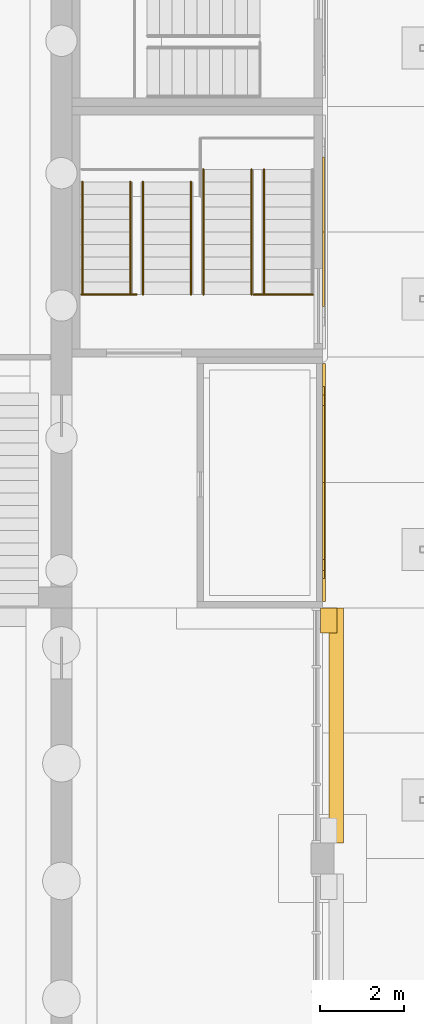
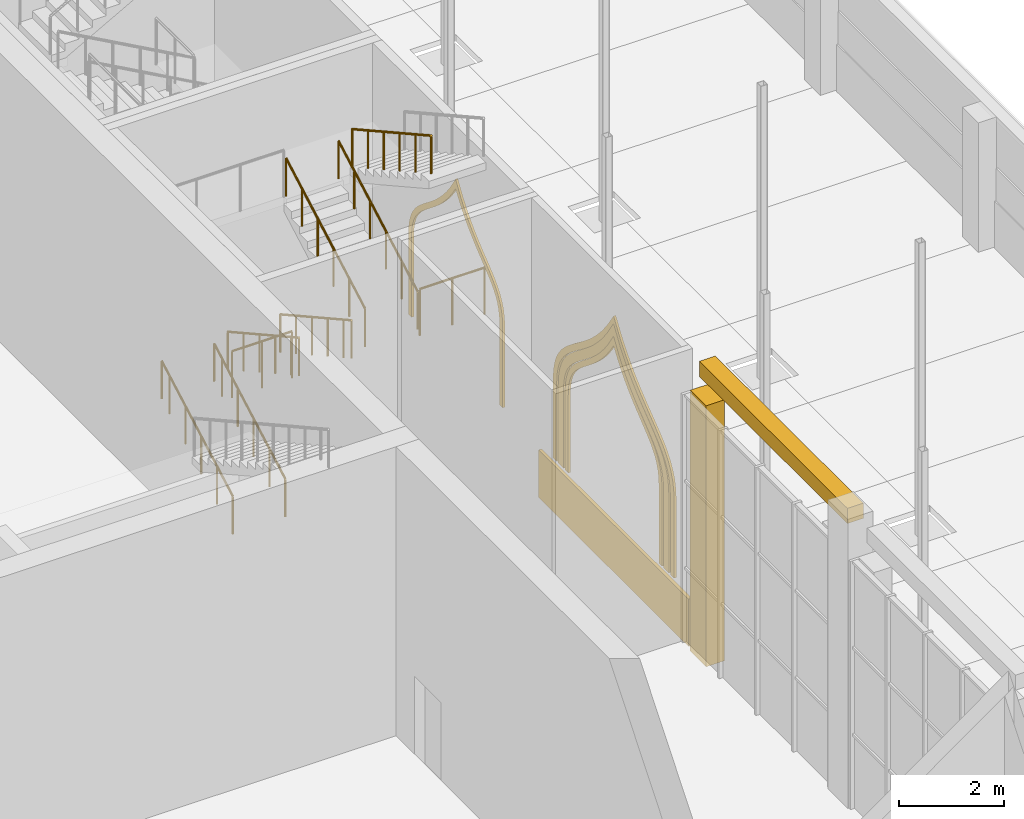
# One storey, part 70 of 95: 9 railings, 7 coverings.
"""IFC4 building model written with IfcOpenShell, lengths in metres."""

from ifc_helpers import new_model, si_unit, direction, frame, origin, origin_2d, place, context, subcontext, project, spatial, polyline, rectangle, circle, outline, extrude, material, layer, layer_set, type_object, element, save


model = new_model("IFC4")

# Units and contexts
model_context = context("Model", 3, precision=1e-05, world=origin(), true_north=direction((0.0, 1.0)))
body_context = subcontext(model_context, "Body", "Model", "MODEL_VIEW")
ifc_project = project(units=[si_unit("LENGTHUNIT", "METRE"), si_unit("AREAUNIT", "SQUARE_METRE"), si_unit("VOLUMEUNIT", "CUBIC_METRE"), si_unit("PLANEANGLEUNIT", "RADIAN"), si_unit("MASSUNIT", "GRAM", prefix="KILO")], contexts=[model_context])

# Site, building, storey
site_placement = place(None, origin())
site = spatial("IfcSite", under=ifc_project, at=site_placement, CompositionType="ELEMENT")
building_placement = place(site_placement, origin())
building = spatial("IfcBuilding", under=site, at=building_placement, Name="Saffron Lane Theatres", CompositionType="ELEMENT")
storey_placement = place(building_placement, origin())
storey = spatial("IfcBuildingStorey", under=building, at=storey_placement, Name="L00", CompositionType="ELEMENT", Elevation=0.0)

# Coverings
ifc_material_1 = material(Name="Masonry sandstone", Category="masonry")
ifc_layer_1 = layer(ifc_material_1, 0.050048828125)
ifc_layer_set_1 = layer_set([ifc_layer_1], Name="Masonry sandstone")
covering_type_1 = type_object("IfcCoveringType", Name="EX-ARCH FRAME RING SANDSTONE 50", PredefinedType="CLADDING", material=ifc_layer_set_1)
covering_1_placement = place(storey_placement, frame((54.0, 61.2099609375, 3.12890625), z_axis=(-1.0, 0.0, 0.0), x_axis=(0.0, 0.060212267817, 0.99818559537)))
element("IfcCovering", 1, at=covering_1_placement, inside=storey, type_object=covering_type_1, Name="Arch recess ring L00", PredefinedType="CLADDING", context=body_context, shape_type="SweptSolid", body=[
    extrude(outline(polyline([(0.0, 0.0), (0.18245996245064686, 1.734723475976807e-18), (0.3472933323075325, 0.024054199915656917), (0.49622918690115053, 0.06838953283459552), (0.6301982160698869, 0.13221610474866663), (0.7522361869840188, 0.21314953337272502), (0.8673137477940834, 0.3084441366809254), (0.9769603789575473, 0.41507264098694907), (1.0849429406100468, 0.5306065632235581), (1.196652181685609, 0.6552098929656452), (1.3147478693531138, 0.7843196692926863), (1.4429589697428435, 0.9189338765698157), (1.5855397383006742, 1.056594631208401), (1.7442633531391913, 1.1942599592614254), (1.9247936613689376, 1.3325665453533233), (2.12835764474947, 1.4675270254379955), (2.4426495451358874, 1.645948009593871), (2.1520838655153414, 1.860855040801105), (1.9662777970574683, 2.020281328100966), (1.8036230058359621, 2.1783110906345584), (1.662672006180802, 2.3352762276211867), (1.5375992481137724, 2.487859380230101), (1.426499251176009, 2.63690924351224), (1.324838454968383, 2.780253445608964), (1.228858492839216, 2.9164066068448986), (1.1355467913628874, 3.044082944417697), (1.0395126016053695, 3.1631184687524665), (0.9367244587384699, 3.2715551051242904), (0.8253000760479804, 3.366571383496617), (0.6999748001694127, 3.4460390327928985), (0.5575070602827237, 3.508930668126604), (0.39670156185697103, 3.55164962571373), (0.21556462286910513, 3.5735824146744983), (-1.6599325309316955, 3.686715621002965), (-1.6671650591948977, 3.566816374684099), (0.2044329321239884, 3.4539183725267932), (0.3734437893986623, 3.4336953872213822), (0.5183416457148889, 3.394871018701731), (0.6434016635559805, 3.339388641432058), (0.7534158012368836, 3.269649624665426), (0.854417699092799, 3.184311671263917), (0.9484304396681715, 3.084475667417548), (1.0398993817979454, 2.970851799054243), (1.1314232049009902, 2.845973737773342), (1.2274178672908547, 2.7100642741925265), (1.329994653076169, 2.5656864804325337), (1.4431703268244287, 2.4145547335631594), (1.5708440510175474, 2.256433829413242), (1.7174232904851157, 2.0954604213430774), (1.8848282259466955, 1.9310295119568452), (2.0772226245767573, 1.767292454875538), (2.2230779578730857, 1.6591929444823779), (2.065286012890334, 1.569409958918385), (1.8546044899525003, 1.4299871330308518), (1.6686478254905923, 1.2868716016560897), (1.5037814617152523, 1.1446851267574143), (1.3580852179069176, 1.0040327057306444), (1.2275044354927402, 0.8666264289383573), (1.1083163551191764, 0.7356258724131494), (0.9966806153471018, 0.6122410309466604), (0.8908093378032328, 0.49927018083078695), (0.7863453652168108, 0.39746532206832463), (0.6810722249471028, 0.31062892209304366), (0.5704857571163746, 0.2370760043565431), (0.45288628491552757, 0.1810670310814375), (0.32206376488099014, 0.14101992754420883), (0.17360844547595256, 0.1208694635249055), (0.0033333657812880347, 0.1201344504900272), (-1.868264625537598, 0.2330324526473327), (-1.8754971538008005, 0.11313320632846652), (0.0, 0.0)])), origin(), (0.0, 0.0, -1.0), 0.050048828125),
])
covering_2_placement = place(storey_placement, frame((54.0, 55.159912109375, 3.06396484375), z_axis=(-1.0, 0.0, 0.0), x_axis=(0.0, 0.065135536954, 0.99787642613)))
element("IfcCovering", 2, at=covering_2_placement, inside=storey, type_object=covering_type_1, Name="Arch recess ring L00", PredefinedType="CLADDING", context=body_context, shape_type="SweptSolid", body=[
    extrude(outline(polyline([(0.0, 0.0), (0.18740969708573668, 0.0), (0.3572321631047603, 0.02292274751170524), (0.5096633135393143, 0.0680214737813698), (0.6479866409846596, 0.1331245701843867), (0.7746911625902068, 0.21513364609086122), (0.8923772111202771, 0.31265566609133544), (1.0056627943706078, 0.421474630782208), (1.1186258803823106, 0.5403457135441597), (1.2340627174019505, 0.6671291102139867), (1.3560512734706387, 0.8005799941723697), (1.4893208719990239, 0.9381877212361441), (1.6356932725362778, 1.0778760961649128), (1.8002845407437116, 1.219311172113942), (1.9859068270985913, 1.3605967670943766), (2.197289455011565, 1.499222236923052), (2.5188026636036778, 1.6795910623433596), (2.223464526746356, 1.9002243359000532), (2.031896078287544, 2.0651520953091325), (1.8662151892324383, 2.2293687069612367), (1.721406296017763, 2.390999615901266), (1.5945141280899375, 2.5497484045489407), (1.4801840863271272, 2.702294687133774), (1.3765785089494589, 2.850471036721815), (1.2786023212401476, 2.991184787486221), (1.1820503373124693, 3.1237317886515266), (1.0838718732286343, 3.2463538895913655), (0.9798617431019176, 3.3583469395302727), (0.8648930677541324, 3.4561310282927087), (0.736206492113941, 3.538662969544651), (0.5909313454950954, 3.603194221731639), (0.4255296996111094, 3.6479984386887105), (0.23971022559553018, 3.6723606561235225), (-1.5704025298109825, 3.790514230236219), (-1.578226427316157, 3.670652120456945), (0.22798837330078578, 3.5527529820354737), (0.4029243606242076, 3.5303244758539734), (0.5504887923748518, 3.4896204900609957), (0.6791556492489732, 3.433023814904865), (0.7935060458670814, 3.359501441479207), (0.8961511285103747, 3.2715741913948344), (0.9936209891941478, 3.168081837899761), (1.087001432230704, 3.0506661272916173), (1.179925799290739, 2.9225151387814554), (1.2779019870000503, 2.781801388017049), (1.3824184441523049, 2.63258694080881), (1.4994016140853654, 2.4757082544916393), (1.6301809232858842, 2.3127911731324673), (1.7786174333682025, 2.146764251537295), (1.9510453208653722, 1.977214031707883), (2.148386279068856, 1.807016273044302), (2.299299084516024, 1.693918972205478), (2.1349647963567273, 1.601399157894491), (1.917173569471019, 1.4582988003463928), (1.7241681954460124, 1.3126019265693414), (1.555408634527082, 1.1672797093476193), (1.4045607101811768, 1.022745606679467), (1.2681768187921953, 0.882405240291934), (1.1451501651033085, 0.7480434765589647), (1.029776937006475, 0.6222345685865303), (0.9209185347834625, 0.506276138399879), (0.8130670618084738, 0.4019956703512356), (0.7029708299476508, 0.31205201741390365), (0.5897666661185121, 0.2382141437311261), (0.46682906492155385, 0.18018054300880101), (0.3318967291510122, 0.14079008147177352), (0.18029313080216816, 0.11961403498032923), (0.00392594271560465, 0.12011654547049896), (-1.802288857901338, 0.23801568389197042), (-1.8101127554065126, 0.11815357411269665), (0.0, 0.0)])), origin(), (0.0, 0.0, -1.0), 0.050048828125),
])
covering_3_placement = place(storey_placement, frame((54.0, 54.89990234375, 3.06494140625), z_axis=(-1.0, 0.0, 0.0), x_axis=(0.0, 0.062958960636, 0.998016116741)))
element("IfcCovering", 3, at=covering_3_placement, inside=storey, type_object=covering_type_1, Name="Arch recess ring L00", PredefinedType="CLADDING", context=body_context, shape_type="SweptSolid", body=[
    extrude(outline(polyline([(0.0, 0.0), (0.2093997997570811, -1.734723475976807e-18), (0.40049520623693485, 0.02781894323655621), (0.5733915381580723, 0.08124855236315773), (0.7293201705915178, 0.1565417581622911), (0.8716461789162931, 0.2527524000384675), (1.0029091674744415, 0.3636046209491667), (1.1279361493159927, 0.48806003525890634), (1.252618710483494, 0.6225668403471962), (1.379072903283463, 0.7657684172615393), (1.512795226241438, 0.9156056427324515), (1.65780486937195, 1.0698679622519405), (1.8169488538170204, 1.2271526443475127), (1.9962571031791871, 1.3861007929051896), (2.1975097884464723, 1.5439092221414654), (2.4267060915414165, 1.6987317233853592), (2.8199923738188595, 1.9263755716404125), (2.4584315052991785, 2.2016382822121074), (2.2505084447627337, 2.3840360704140555), (2.070744193813933, 2.566859118522641), (1.9127706703702612, 2.746105884524812), (1.7746539950437077, 2.9221429914190615), (1.650179794151747, 3.0934054599773515), (1.5363473381523691, 3.2588594588871618), (1.42889150359106, 3.416817042200464), (1.3221006001822966, 3.5659261452877242), (1.2137048672195723, 3.705106824316425), (1.0974130768203678, 3.831575818666023), (0.9683059908946601, 3.9449095763009914), (0.82307546310046, 4.039201140338784), (0.6582641930187523, 4.113934733703883), (0.472179680378545, 4.165547737258761), (0.2644399313413468, 4.1918626153369045), (-1.5469008430375506, 4.306129439888844), (-1.5595049318366616, 4.106331291517753), (0.24598809185820394, 3.9924333671257872), (0.4328502551442822, 3.968658662680057), (0.5903700541628006, 3.925697164883087), (0.7268932857428001, 3.8640008902889207), (0.8471723858957974, 3.7852270431655883), (0.9573141324243244, 3.6892350087916186), (1.0611862841044049, 3.5752915411700266), (1.162430591435041, 3.4468362927183467), (1.2643506464352592, 3.3019484777270853), (1.3719294477165596, 3.145940144641794), (1.4866135621099514, 2.978475412143977), (1.6146173632979592, 2.8011192594616725), (1.759354316341083, 2.6175703661309164), (1.923886634141329, 2.4298371885782326), (2.1141235507427245, 2.238525451757653), (2.33152928097776, 2.047456801925205), (2.460599363029396, 1.9490475606388131), (2.32018560105856, 1.8676384683912226), (2.080492152825097, 1.7054055143967404), (1.8677215847852908, 1.5395171469343678), (1.680901548986617, 1.3739487206601206), (1.5142457781050391, 1.2100437608479786), (1.364968734358532, 1.0501796240844403), (1.2301488195665604, 0.8984546317455133), (1.1038175934865828, 0.7572023050591807), (0.9844977476075921, 0.6262712127869349), (0.8679133419580379, 0.5115574952942858), (0.7505455927589095, 0.4115707503917092), (0.6292138747111717, 0.3301810140167095), (0.4999889456788056, 0.26714690705226696), (0.3567947695392767, 0.22309635677685571), (0.195124843721051, 0.2002706593784658), (0.006756338115078975, 0.2001670485310657), (-1.7987366855797864, 0.31406497292303154), (-1.8113407743788974, 0.1142668245519398), (0.0, 0.0)])), origin(), (0.0, 0.0, -1.0), 0.050048828125),
])
covering_4_placement = place(storey_placement, frame((54.0, 54.699951171875, 3.06396484375), z_axis=(-1.0, 0.0, 0.0), x_axis=(0.0, 0.06709359494, 0.997746686047)))
element("IfcCovering", 4, at=covering_4_placement, inside=storey, type_object=covering_type_1, Name="Arch recess ring L00", PredefinedType="CLADDING", context=body_context, shape_type="SweptSolid", body=[
    extrude(outline(polyline([(0.0, 0.0), (0.22560601743694642, 0.0), (0.42889840536333734, 0.02841660189557326), (0.6111606373655978, 0.08614226632380159), (0.7768877771735412, 0.16724680635160669), (0.9281902379218655, 0.27036484703155256), (1.0697432663346085, 0.3922456969253163), (1.2051658457767045, 0.5284862331857677), (1.3404822176474245, 0.6777025870097586), (1.479393266672714, 0.8367095880477752), (1.627126941664466, 1.0031981463151827), (1.7870116082549947, 1.175720985503534), (1.963073643030779, 1.3522945074887294), (2.161449835712996, 1.5295697391992324), (2.3850305117515207, 1.7068629363695702), (2.63819818655426, 1.8802090163350522), (3.015776142316312, 2.102447038448873), (2.671351857491538, 2.3732361873700505), (2.4436718862354403, 2.5789169246626997), (2.2458409980987932, 2.7845479927428642), (2.072985269507623, 2.9867867592895387), (1.9221488539232454, 3.1853426065701025), (1.7868018350916308, 3.3777183356675358), (1.6626885126154687, 3.5624872777126115), (1.5463167181404232, 3.7386608040185467), (1.4321964184993656, 3.904650556577603), (1.316233602433498, 4.057795533750737), (1.192272986365931, 4.197530880344912), (1.056138657676855, 4.319977642223469), (0.9028277641981886, 4.423514700834265), (0.7298695268067847, 4.504148440135225), (0.5322119525179547, 4.55952697007564), (0.30863708883408264, 4.58973219201652), (-1.5012403226234452, 4.711437614478957), (-1.510642598867515, 4.571616667752628), (0.2953373645976413, 4.450173329645426), (0.5029826777628007, 4.423241520165602), (0.6798880323590603, 4.372194779628856), (0.8334123977722331, 4.300942709132744), (0.969678297034804, 4.209562982871254), (1.0923559679118238, 4.098053487260878), (1.2079753266573225, 3.9689114212186363), (1.319475839537781, 3.822183811977627), (1.4309351375397954, 3.6602880706773684), (1.5463980911055568, 3.4851544274583355), (1.6711111429026708, 3.298387620600467), (1.8091683041899354, 3.1026486517428054), (1.9640617433216867, 2.8989261495721372), (2.141396155370469, 2.690513605592861), (2.345703591777519, 2.479308489401047), (2.5809470216240187, 2.2660230786395514), (2.768531785300243, 2.119073014734118), (2.5629614827459894, 1.9985607101630554), (2.3012802935651195, 1.8186910546940729), (2.0705350978236985, 1.6367411046554097), (1.8668939686181638, 1.4539473064003936), (1.6861196994069172, 1.2727968193243737), (1.5230990032834812, 1.0973038669086468), (1.3745035146155418, 0.9289157254616602), (1.236632348677154, 0.7708175653329278), (1.1045011471559478, 0.6253020962348819), (0.9743598845093718, 0.4948237170184666), (0.8424912957392786, 0.38232400753367307), (0.7059886751235918, 0.288243121546451), (0.5587152329411341, 0.2159300321283364), (0.39703349197125964, 0.16587403386188582), (0.2149519713591011, 0.13994617654929384), (0.005504828251698287, 0.14008303108156392), (-1.800475135213458, 0.2615263691887653), (-1.8098774114575278, 0.12170542246243679), (0.0, 0.0)])), origin(), (0.0, 0.0, -1.0), 0.050048828125),
])
ifc_material_2 = material(Name="Masonry sandstone", Category="masonry")
ifc_layer_2 = layer(ifc_material_2, 0.39990234375)
ifc_layer_set_2 = layer_set([ifc_layer_2], Name="Masonry sandstone")
covering_type_2 = type_object("IfcCoveringType", Name="EX-PILASTER PIER SANDSTONE 400", PredefinedType="CLADDING", material=ifc_layer_set_2)
covering_5_placement = place(storey_placement, frame((54.14990234375, 53.699951171875, 0.0), z_axis=(0.0, 0.0, 1.0), x_axis=(0.0, -1.0, 0.0)))
element("IfcCovering", 5, at=covering_5_placement, inside=storey, type_object=covering_type_2, Name="Pilaster pier L00", PredefinedType="CLADDING", context=body_context, shape_type="SweptSolid", body=[
    extrude(rectangle(XDim=0.60009765625, YDim=0.39990234375, at=origin_2d()), origin(), (0.0, 0.0, 1.0), 6.050048828125),
])
ifc_material_3 = material(Name="Masonry sandstone", Category="masonry")
ifc_layer_3 = layer(ifc_material_3, 0.070068359375)
ifc_layer_set_3 = layer_set([ifc_layer_3], Name="Masonry sandstone")
covering_type_3 = type_object("IfcCoveringType", Name="EX-PLINTH COURSE SANDSTONE 70", PredefinedType="CLADDING", material=ifc_layer_set_3)
covering_6_placement = place(storey_placement, frame((54.034912109375, 57.0, 0.0), z_axis=(0.0, 0.0, 1.0), x_axis=(0.0, 1.0, 0.0)))
element("IfcCovering", 6, at=covering_6_placement, inside=storey, type_object=covering_type_3, Name="Plinth course L00", PredefinedType="CLADDING", context=body_context, shape_type="SweptSolid", body=[
    extrude(rectangle(XDim=5.699951171875, YDim=0.070068359375, at=origin_2d()), origin(), (0.0, 0.0, 1.0), 1.10009765625),
])
ifc_material_4 = material(Name="Masonry sandstone", Category="masonry")
ifc_layer_4 = layer(ifc_material_4, 0.300048828125)
ifc_layer_set_4 = layer_set([ifc_layer_4], Name="Masonry sandstone")
covering_type_4 = type_object("IfcCoveringType", Name="EX-STRING COURSE SANDSTONE 350", PredefinedType="CLADDING", material=ifc_layer_set_4)
covering_7_placement = place(storey_placement, frame((54.324951171875, 51.18798828125, 6.300048828125), z_axis=(0.0, 0.0, 1.0), x_axis=(0.0, -1.0, 0.0)))
element("IfcCovering", 7, at=covering_7_placement, inside=storey, type_object=covering_type_4, Name="String course L00", PredefinedType="CLADDING", context=body_context, shape_type="SweptSolid", body=[
    extrude(rectangle(XDim=5.625, YDim=0.35009765625, at=origin_2d()), origin(), (0.0, 0.0, 1.0), 0.35009765625),
])

# Railings
ifc_material_5 = material(Name="Steel Grade 350", Category="steel")
railing_type_1 = type_object("IfcRailingType", Name="VC-GUARD 1100", PredefinedType="GUARDRAIL", material=ifc_material_5)
railing_1_placement = place(storey_placement, frame((48.22998046875, 61.5, 3.333251953125)))
element("IfcRailing", 8, at=railing_1_placement, inside=storey, type_object=railing_type_1, Name="Auditorium East Front Stair landing guard 1S2w", PredefinedType="GUARDRAIL", context=body_context, shape_type="SweptSolid", body=[
    extrude(circle(Radius=0.02392578125, at=origin_2d()), frame((0.0, 0.0, 1.076171875), z_axis=(1.0, 0.0, 0.0), x_axis=(0.0, 1.0, 0.0)), (0.0, 0.0, 1.0), 1.320068359375),
    extrude(circle(Radius=0.02099609375, at=origin_2d()), origin(), (0.0, 0.0, 1.0), 1.052001953125),
    extrude(circle(Radius=0.02099609375, at=origin_2d()), frame((0.66015625, 0.0, 0.0)), (0.0, 0.0, 1.0), 1.052001953125),
    extrude(circle(Radius=0.02099609375, at=origin_2d()), frame((1.320068359375, 0.0, 0.0)), (0.0, 0.0, 1.0), 1.052001953125),
])
railing_2_placement = place(storey_placement, frame((52.35009765625, 61.5, 3.333251953125)))
element("IfcRailing", 9, at=railing_2_placement, inside=storey, type_object=railing_type_1, Name="Auditorium East Front Stair landing guard 1S2e", PredefinedType="GUARDRAIL", context=body_context, shape_type="SweptSolid", body=[
    extrude(circle(Radius=0.02392578125, at=origin_2d()), frame((0.0, 0.0, 1.076171875), z_axis=(1.0, 0.0, 0.0), x_axis=(0.0, 1.0, 0.0)), (0.0, 0.0, 1.0), 1.419921875),
    extrude(circle(Radius=0.02099609375, at=origin_2d()), origin(), (0.0, 0.0, 1.0), 1.052001953125),
    extrude(circle(Radius=0.02099609375, at=origin_2d()), frame((0.7099609375, 0.0, 0.0)), (0.0, 0.0, 1.0), 1.052001953125),
    extrude(circle(Radius=0.02099609375, at=origin_2d()), frame((1.419921875, 0.0, 0.0)), (0.0, 0.0, 1.0), 1.052001953125),
])
ifc_material_6 = material(Name="Steel Grade 350", Category="steel")
railing_type_2 = type_object("IfcRailingType", Name="VC-HANDRAIL 900", PredefinedType="HANDRAIL", material=ifc_material_6)
railing_3_placement = place(storey_placement, frame((48.25, 61.5, 0.166748046875)))
element("IfcRailing", 10, at=railing_3_placement, inside=storey, type_object=railing_type_2, Name="Auditorium East Front Stair handrail 1.1a", PredefinedType="HANDRAIL", context=body_context, shape_type="SweptSolid", body=[
    extrude(circle(Radius=0.02392578125, at=origin_2d()), frame((0.0, 0.0, 0.8759765625), z_axis=(0.0, 0.874241147926, 0.485491931212), x_axis=(-1.0, 0.0, 0.0)), (0.0, 0.0, 1.0), 0.6865234375),
    extrude(circle(Radius=0.02392578125, at=origin_2d()), frame((0.0, 0.60009765625, 1.208984375), z_axis=(0.0, 0.874157276122, 0.485642931179), x_axis=(-1.0, 0.0, 0.0)), (0.0, 0.0, 1.0), 0.686279296875),
    extrude(circle(Radius=0.02392578125, at=origin_2d()), frame((0.0, 1.199951171875, 1.54248046875), z_axis=(0.0, 0.874090171491, 0.485763699861), x_axis=(-1.0, 0.0, 0.0)), (0.0, 0.0, 1.0), 0.6865234375),
    extrude(circle(Radius=0.02392578125, at=origin_2d()), frame((0.0, 1.800048828125, 1.8759765625), z_axis=(0.0, 0.874157276122, 0.485642931179), x_axis=(-1.0, 0.0, 0.0)), (0.0, 0.0, 1.0), 0.686279296875),
    extrude(circle(Radius=0.02392578125, at=origin_2d()), frame((0.0, 2.39990234375, 2.208984375), z_axis=(0.0, 0.874090171491, 0.485763699861), x_axis=(-1.0, 0.0, 0.0)), (0.0, 0.0, 1.0), 0.34326171875),
    extrude(circle(Radius=0.02099609375, at=origin_2d()), origin(), (0.0, 0.0, 1.0), 0.851806640625),
    extrude(circle(Radius=0.02099609375, at=origin_2d()), frame((0.0, 0.60009765625, 0.333251953125)), (0.0, 0.0, 1.0), 0.851806640625),
    extrude(circle(Radius=0.02099609375, at=origin_2d()), frame((0.0, 1.199951171875, 0.66650390625)), (0.0, 0.0, 1.0), 0.851806640625),
    extrude(circle(Radius=0.02099609375, at=origin_2d()), frame((0.0, 1.800048828125, 1.0)), (0.0, 0.0, 1.0), 0.851806640625),
    extrude(circle(Radius=0.02099609375, at=origin_2d()), frame((0.0, 2.39990234375, 1.333251953125)), (0.0, 0.0, 1.0), 0.851806640625),
    extrude(circle(Radius=0.02099609375, at=origin_2d()), frame((0.0, 2.699951171875, 1.5)), (0.0, 0.0, 1.0), 0.851806640625),
])
railing_4_placement = place(storey_placement, frame((49.39990234375, 61.5, 0.166748046875)))
element("IfcRailing", 11, at=railing_4_placement, inside=storey, type_object=railing_type_2, Name="Auditorium East Front Stair handrail 1.1b", PredefinedType="HANDRAIL", context=body_context, shape_type="SweptSolid", body=[
    extrude(circle(Radius=0.02392578125, at=origin_2d()), frame((0.0, 0.0, 0.8759765625), z_axis=(0.0, 0.874241147926, 0.485491931212), x_axis=(-1.0, 0.0, 0.0)), (0.0, 0.0, 1.0), 0.6865234375),
    extrude(circle(Radius=0.02392578125, at=origin_2d()), frame((0.0, 0.60009765625, 1.208984375), z_axis=(0.0, 0.874157276122, 0.485642931179), x_axis=(-1.0, 0.0, 0.0)), (0.0, 0.0, 1.0), 0.686279296875),
    extrude(circle(Radius=0.02392578125, at=origin_2d()), frame((0.0, 1.199951171875, 1.54248046875), z_axis=(0.0, 0.874090171491, 0.485763699861), x_axis=(-1.0, 0.0, 0.0)), (0.0, 0.0, 1.0), 0.6865234375),
    extrude(circle(Radius=0.02392578125, at=origin_2d()), frame((0.0, 1.800048828125, 1.8759765625), z_axis=(0.0, 0.874157276122, 0.485642931179), x_axis=(-1.0, 0.0, 0.0)), (0.0, 0.0, 1.0), 0.686279296875),
    extrude(circle(Radius=0.02392578125, at=origin_2d()), frame((0.0, 2.39990234375, 2.208984375), z_axis=(0.0, 0.874090171491, 0.485763699861), x_axis=(-1.0, 0.0, 0.0)), (0.0, 0.0, 1.0), 0.34326171875),
    extrude(circle(Radius=0.02099609375, at=origin_2d()), origin(), (0.0, 0.0, 1.0), 0.851806640625),
    extrude(circle(Radius=0.02099609375, at=origin_2d()), frame((0.0, 0.60009765625, 0.333251953125)), (0.0, 0.0, 1.0), 0.851806640625),
    extrude(circle(Radius=0.02099609375, at=origin_2d()), frame((0.0, 1.199951171875, 0.66650390625)), (0.0, 0.0, 1.0), 0.851806640625),
    extrude(circle(Radius=0.02099609375, at=origin_2d()), frame((0.0, 1.800048828125, 1.0)), (0.0, 0.0, 1.0), 0.851806640625),
    extrude(circle(Radius=0.02099609375, at=origin_2d()), frame((0.0, 2.39990234375, 1.333251953125)), (0.0, 0.0, 1.0), 0.851806640625),
    extrude(circle(Radius=0.02099609375, at=origin_2d()), frame((0.0, 2.699951171875, 1.5)), (0.0, 0.0, 1.0), 0.851806640625),
])
railing_5_placement = place(storey_placement, frame((49.699951171875, 64.199951171875, 1.833251953125)))
element("IfcRailing", 12, at=railing_5_placement, inside=storey, type_object=railing_type_2, Name="Auditorium East Front Stair handrail 1.2a", PredefinedType="HANDRAIL", context=body_context, shape_type="SweptSolid", body=[
    extrude(circle(Radius=0.02392578125, at=origin_2d()), frame((0.0, 0.0, 0.8759765625), z_axis=(0.0, -0.874006220275, 0.485914732151), x_axis=(1.0, 0.0, 0.0)), (0.0, 0.0, 1.0), 0.686279296875),
    extrude(circle(Radius=0.02392578125, at=origin_2d()), frame((0.0, -0.599853515625, 1.20947265625), z_axis=(0.0, -0.874241147926, 0.485491931212), x_axis=(1.0, 0.0, 0.0)), (0.0, 0.0, 1.0), 0.6865234375),
    extrude(circle(Radius=0.02392578125, at=origin_2d()), frame((0.0, -1.199951171875, 1.54248046875), z_axis=(0.0, -0.874241147926, 0.485491931212), x_axis=(1.0, 0.0, 0.0)), (0.0, 0.0, 1.0), 0.6865234375),
    extrude(circle(Radius=0.02392578125, at=origin_2d()), frame((0.0, -1.800048828125, 1.8759765625), z_axis=(0.0, -0.874006220275, 0.485914732151), x_axis=(1.0, 0.0, 0.0)), (0.0, 0.0, 1.0), 0.686279296875),
    extrude(circle(Radius=0.02392578125, at=origin_2d()), frame((0.0, -2.39990234375, 2.20947265625), z_axis=(0.0, -0.87439209197, 0.485220021744), x_axis=(1.0, 0.0, 0.0)), (0.0, 0.0, 1.0), 0.34326171875),
    extrude(circle(Radius=0.02099609375, at=origin_2d()), origin(), (0.0, 0.0, 1.0), 0.851806640625),
    extrude(circle(Radius=0.02099609375, at=origin_2d()), frame((0.0, -0.599853515625, 0.33349609375)), (0.0, 0.0, 1.0), 0.851806640625),
    extrude(circle(Radius=0.02099609375, at=origin_2d()), frame((0.0, -1.199951171875, 0.666748046875)), (0.0, 0.0, 1.0), 0.851806640625),
    extrude(circle(Radius=0.02099609375, at=origin_2d()), frame((0.0, -1.800048828125, 1.0)), (0.0, 0.0, 1.0), 0.851806640625),
    extrude(circle(Radius=0.02099609375, at=origin_2d()), frame((0.0, -2.39990234375, 1.33349609375)), (0.0, 0.0, 1.0), 0.851806640625),
    extrude(circle(Radius=0.02099609375, at=origin_2d()), frame((0.0, -2.699951171875, 1.5)), (0.0, 0.0, 1.0), 0.851806640625),
])
railing_6_placement = place(storey_placement, frame((50.85009765625, 64.199951171875, 1.833251953125)))
element("IfcRailing", 13, at=railing_6_placement, inside=storey, type_object=railing_type_2, Name="Auditorium East Front Stair handrail 1.2b", PredefinedType="HANDRAIL", context=body_context, shape_type="SweptSolid", body=[
    extrude(circle(Radius=0.02392578125, at=origin_2d()), frame((0.0, 0.0, 0.8759765625), z_axis=(0.0, -0.874006220275, 0.485914732151), x_axis=(1.0, 0.0, 0.0)), (0.0, 0.0, 1.0), 0.686279296875),
    extrude(circle(Radius=0.02392578125, at=origin_2d()), frame((0.0, -0.599853515625, 1.20947265625), z_axis=(0.0, -0.874241147926, 0.485491931212), x_axis=(1.0, 0.0, 0.0)), (0.0, 0.0, 1.0), 0.6865234375),
    extrude(circle(Radius=0.02392578125, at=origin_2d()), frame((0.0, -1.199951171875, 1.54248046875), z_axis=(0.0, -0.874241147926, 0.485491931212), x_axis=(1.0, 0.0, 0.0)), (0.0, 0.0, 1.0), 0.6865234375),
    extrude(circle(Radius=0.02392578125, at=origin_2d()), frame((0.0, -1.800048828125, 1.8759765625), z_axis=(0.0, -0.874006220275, 0.485914732151), x_axis=(1.0, 0.0, 0.0)), (0.0, 0.0, 1.0), 0.686279296875),
    extrude(circle(Radius=0.02392578125, at=origin_2d()), frame((0.0, -2.39990234375, 2.20947265625), z_axis=(0.0, -0.87439209197, 0.485220021744), x_axis=(1.0, 0.0, 0.0)), (0.0, 0.0, 1.0), 0.34326171875),
    extrude(circle(Radius=0.02099609375, at=origin_2d()), origin(), (0.0, 0.0, 1.0), 0.851806640625),
    extrude(circle(Radius=0.02099609375, at=origin_2d()), frame((0.0, -0.599853515625, 0.33349609375)), (0.0, 0.0, 1.0), 0.851806640625),
    extrude(circle(Radius=0.02099609375, at=origin_2d()), frame((0.0, -1.199951171875, 0.666748046875)), (0.0, 0.0, 1.0), 0.851806640625),
    extrude(circle(Radius=0.02099609375, at=origin_2d()), frame((0.0, -1.800048828125, 1.0)), (0.0, 0.0, 1.0), 0.851806640625),
    extrude(circle(Radius=0.02099609375, at=origin_2d()), frame((0.0, -2.39990234375, 1.33349609375)), (0.0, 0.0, 1.0), 0.851806640625),
    extrude(circle(Radius=0.02099609375, at=origin_2d()), frame((0.0, -2.699951171875, 1.5)), (0.0, 0.0, 1.0), 0.851806640625),
])
railing_7_placement = place(storey_placement, frame((51.14990234375, 61.5, 3.5)))
element("IfcRailing", 14, at=railing_7_placement, inside=storey, type_object=railing_type_2, Name="Auditorium East Front Stair handrail 1.3a", PredefinedType="HANDRAIL", context=body_context, shape_type="SweptSolid", body=[
    extrude(circle(Radius=0.02392578125, at=origin_2d()), frame((0.0, 0.0, 0.8759765625), z_axis=(0.0, 0.874241147926, 0.485491931212), x_axis=(-1.0, 0.0, 0.0)), (0.0, 0.0, 1.0), 0.6865234375),
    extrude(circle(Radius=0.02392578125, at=origin_2d()), frame((0.0, 0.60009765625, 1.208984375), z_axis=(0.0, 0.874006220275, 0.485914732151), x_axis=(-1.0, 0.0, 0.0)), (0.0, 0.0, 1.0), 0.686279296875),
    extrude(circle(Radius=0.02392578125, at=origin_2d()), frame((0.0, 1.199951171875, 1.54248046875), z_axis=(0.0, 0.874241147926, 0.485491931212), x_axis=(-1.0, 0.0, 0.0)), (0.0, 0.0, 1.0), 0.6865234375),
    extrude(circle(Radius=0.02392578125, at=origin_2d()), frame((0.0, 1.800048828125, 1.8759765625), z_axis=(0.0, 0.874157276122, 0.485642931179), x_axis=(-1.0, 0.0, 0.0)), (0.0, 0.0, 1.0), 0.686279296875),
    extrude(circle(Radius=0.02392578125, at=origin_2d()), frame((0.0, 2.39990234375, 2.208984375), z_axis=(0.0, 0.874090171491, 0.485763699861), x_axis=(-1.0, 0.0, 0.0)), (0.0, 0.0, 1.0), 0.6865234375),
    extrude(circle(Radius=0.02099609375, at=origin_2d()), origin(), (0.0, 0.0, 1.0), 0.851806640625),
    extrude(circle(Radius=0.02099609375, at=origin_2d()), frame((0.0, 0.60009765625, 0.333251953125)), (0.0, 0.0, 1.0), 0.851806640625),
    extrude(circle(Radius=0.02099609375, at=origin_2d()), frame((0.0, 1.199951171875, 0.666748046875)), (0.0, 0.0, 1.0), 0.851806640625),
    extrude(circle(Radius=0.02099609375, at=origin_2d()), frame((0.0, 1.800048828125, 1.0)), (0.0, 0.0, 1.0), 0.851806640625),
    extrude(circle(Radius=0.02099609375, at=origin_2d()), frame((0.0, 2.39990234375, 1.333251953125)), (0.0, 0.0, 1.0), 0.851806640625),
    extrude(circle(Radius=0.02099609375, at=origin_2d()), frame((0.0, 3.0, 1.666748046875)), (0.0, 0.0, 1.0), 0.851806640625),
])
railing_8_placement = place(storey_placement, frame((52.300048828125, 61.5, 3.5)))
element("IfcRailing", 15, at=railing_8_placement, inside=storey, type_object=railing_type_2, Name="Auditorium East Front Stair handrail 1.3b", PredefinedType="HANDRAIL", context=body_context, shape_type="SweptSolid", body=[
    extrude(circle(Radius=0.02392578125, at=origin_2d()), frame((0.0, 0.0, 0.8759765625), z_axis=(0.0, 0.874241147926, 0.485491931212), x_axis=(-1.0, 0.0, 0.0)), (0.0, 0.0, 1.0), 0.6865234375),
    extrude(circle(Radius=0.02392578125, at=origin_2d()), frame((0.0, 0.60009765625, 1.208984375), z_axis=(0.0, 0.874006220275, 0.485914732151), x_axis=(-1.0, 0.0, 0.0)), (0.0, 0.0, 1.0), 0.686279296875),
    extrude(circle(Radius=0.02392578125, at=origin_2d()), frame((0.0, 1.199951171875, 1.54248046875), z_axis=(0.0, 0.874241147926, 0.485491931212), x_axis=(-1.0, 0.0, 0.0)), (0.0, 0.0, 1.0), 0.6865234375),
    extrude(circle(Radius=0.02392578125, at=origin_2d()), frame((0.0, 1.800048828125, 1.8759765625), z_axis=(0.0, 0.874157276122, 0.485642931179), x_axis=(-1.0, 0.0, 0.0)), (0.0, 0.0, 1.0), 0.686279296875),
    extrude(circle(Radius=0.02392578125, at=origin_2d()), frame((0.0, 2.39990234375, 2.208984375), z_axis=(0.0, 0.874090171491, 0.485763699861), x_axis=(-1.0, 0.0, 0.0)), (0.0, 0.0, 1.0), 0.6865234375),
    extrude(circle(Radius=0.02099609375, at=origin_2d()), origin(), (0.0, 0.0, 1.0), 0.851806640625),
    extrude(circle(Radius=0.02099609375, at=origin_2d()), frame((0.0, 0.60009765625, 0.333251953125)), (0.0, 0.0, 1.0), 0.851806640625),
    extrude(circle(Radius=0.02099609375, at=origin_2d()), frame((0.0, 1.199951171875, 0.666748046875)), (0.0, 0.0, 1.0), 0.851806640625),
    extrude(circle(Radius=0.02099609375, at=origin_2d()), frame((0.0, 1.800048828125, 1.0)), (0.0, 0.0, 1.0), 0.851806640625),
    extrude(circle(Radius=0.02099609375, at=origin_2d()), frame((0.0, 2.39990234375, 1.333251953125)), (0.0, 0.0, 1.0), 0.851806640625),
    extrude(circle(Radius=0.02099609375, at=origin_2d()), frame((0.0, 3.0, 1.666748046875)), (0.0, 0.0, 1.0), 0.851806640625),
])
railing_9_placement = place(storey_placement, frame((52.60009765625, 64.5, 5.333251953125)))
element("IfcRailing", 16, at=railing_9_placement, inside=storey, type_object=railing_type_2, Name="Auditorium East Front Stair handrail 1.4a", PredefinedType="HANDRAIL", context=body_context, shape_type="SweptSolid", body=[
    extrude(circle(Radius=0.02392578125, at=origin_2d()), frame((0.0, 0.0, 0.8759765625), z_axis=(0.0, -0.874090171491, 0.485763699861), x_axis=(1.0, 0.0, 0.0)), (0.0, 0.0, 1.0), 0.6865234375),
    extrude(circle(Radius=0.02392578125, at=origin_2d()), frame((0.0, -0.60009765625, 1.20947265625), z_axis=(0.0, -0.874157276122, 0.485642931179), x_axis=(1.0, 0.0, 0.0)), (0.0, 0.0, 1.0), 0.686279296875),
    extrude(circle(Radius=0.02392578125, at=origin_2d()), frame((0.0, -1.199951171875, 1.54248046875), z_axis=(0.0, -0.874241147926, 0.485491931212), x_axis=(1.0, 0.0, 0.0)), (0.0, 0.0, 1.0), 0.6865234375),
    extrude(circle(Radius=0.02392578125, at=origin_2d()), frame((0.0, -1.800048828125, 1.8759765625), z_axis=(0.0, -0.874006220275, 0.485914732151), x_axis=(1.0, 0.0, 0.0)), (0.0, 0.0, 1.0), 0.686279296875),
    extrude(circle(Radius=0.02392578125, at=origin_2d()), frame((0.0, -2.39990234375, 2.20947265625), z_axis=(0.0, -0.874241147926, 0.485491931212), x_axis=(1.0, 0.0, 0.0)), (0.0, 0.0, 1.0), 0.6865234375),
    extrude(circle(Radius=0.02099609375, at=origin_2d()), origin(), (0.0, 0.0, 1.0), 0.851806640625),
    extrude(circle(Radius=0.02099609375, at=origin_2d()), frame((0.0, -0.60009765625, 0.33349609375)), (0.0, 0.0, 1.0), 0.851806640625),
    extrude(circle(Radius=0.02099609375, at=origin_2d()), frame((0.0, -1.199951171875, 0.666748046875)), (0.0, 0.0, 1.0), 0.851806640625),
    extrude(circle(Radius=0.02099609375, at=origin_2d()), frame((0.0, -1.800048828125, 1.0)), (0.0, 0.0, 1.0), 0.851806640625),
    extrude(circle(Radius=0.02099609375, at=origin_2d()), frame((0.0, -2.39990234375, 1.33349609375)), (0.0, 0.0, 1.0), 0.851806640625),
    extrude(circle(Radius=0.02099609375, at=origin_2d()), frame((0.0, -3.0, 1.666748046875)), (0.0, 0.0, 1.0), 0.851806640625),
])

save(model, "model.ifc")
